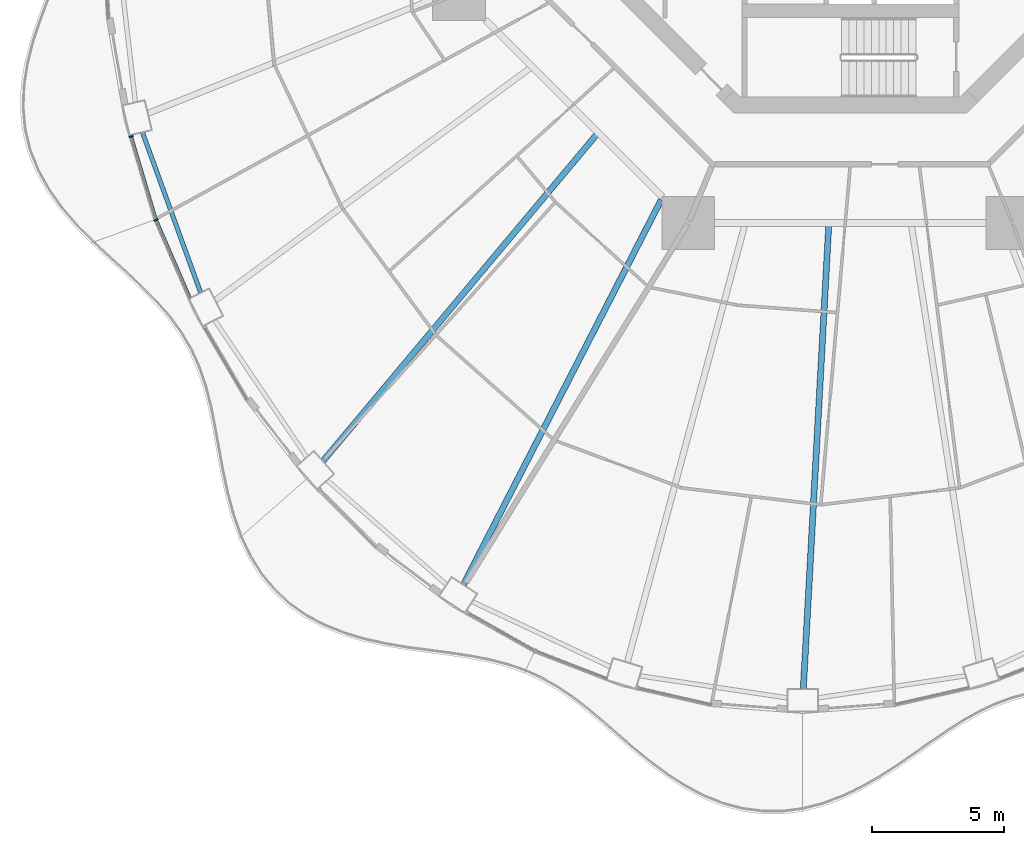
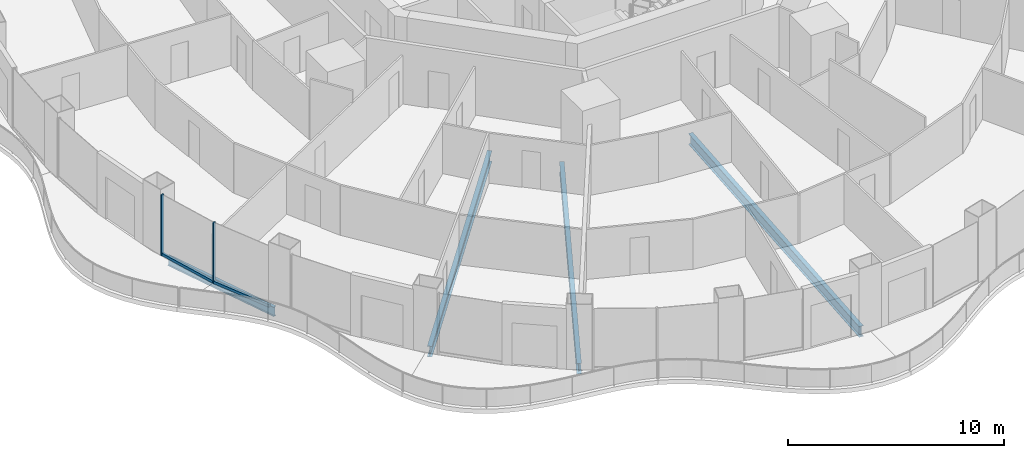
# One storey, part 3 of 21: 4 beams, 4 members, 2 elements without a shape of their own.
"""IFC4 building model written with IfcOpenShell, lengths in metres."""

import ifcopenshell
import ifcopenshell.guid

model = None  # the IFC model being written
_history = None  # IfcOwnerHistory: only IFC2X3 demands one
_inside = {}  # id of a spatial element -> (the spatial element, [elements in it])
_under = {}  # id of a project, library or spatial element -> (it, [spatial elements below it])
_declared = {}  # id of a project -> (the project, [libraries it declares])
_typed = {}  # id of a type object -> (the type object, [elements of that type])
_made_of = {}  # id of a material, layer set ... -> (it, [elements and type objects made of it])


def new_model(schema):
    """Start an empty IFC model of exactly this schema.

    Asked for "IFC4X3", IfcOpenShell would pick the latest addendum, in which some entities
    have other attributes; the version numbers below select the first issue.
    IFC2X3 requires an IfcOwnerHistory on every rooted entity: one is made here for all.
    """
    global model, _history
    if schema == "IFC4X3":
        model = ifcopenshell.file(schema_version=(4, 3, 0, 0))
    else:
        model = ifcopenshell.file(schema=schema)
    _inside.clear()
    _under.clear()
    _declared.clear()
    _typed.clear()
    _made_of.clear()
    _history = None
    if model.schema == "IFC2X3":
        org = make("IfcOrganization", Name="unknown")
        user = make(
            "IfcPersonAndOrganization",
            ThePerson=make("IfcPerson", FamilyName="unknown"),
            TheOrganization=org,
        )
        app = make(
            "IfcApplication",
            ApplicationDeveloper=org,
            Version="unknown",
            ApplicationFullName="unknown",
            ApplicationIdentifier="unknown",
        )
        _history = make(
            "IfcOwnerHistory",
            OwningUser=user,
            OwningApplication=app,
            ChangeAction="ADDED",
            CreationDate=0,
        )
    return model


def make(cls, **values):
    """One entity of the class cls with the attributes given. An attribute that is None is left unset."""
    return model.create_entity(
        cls, **{name: value for name, value in values.items() if value is not None}
    )


def rooted(cls, **values):
    """An entity with a GlobalId (a new one), such as an element, a storey or a relation."""
    return make(cls, GlobalId=ifcopenshell.guid.new(), OwnerHistory=_history, **values)


def si_unit(unit_type, name, prefix=None):
    """IfcSIUnit, for example si_unit("LENGTHUNIT", "METRE", prefix="MILLI")."""
    return make("IfcSIUnit", UnitType=unit_type, Prefix=prefix, Name=name)


def assignment(units):
    """IfcUnitAssignment: the units of a project."""
    return None if units is None else make("IfcUnitAssignment", Units=units)


def point(xyz):
    """IfcCartesianPoint."""
    return None if xyz is None else make("IfcCartesianPoint", Coordinates=xyz)


def direction(xyz):
    """IfcDirection."""
    return None if xyz is None else make("IfcDirection", DirectionRatios=xyz)


def frame(location, z_axis=None, x_axis=None):
    """IfcAxis2Placement3D, a coordinate frame: its origin and axes. An axis left out is left unset."""
    return make(
        "IfcAxis2Placement3D",
        Location=point(location),
        Axis=direction(z_axis),
        RefDirection=direction(x_axis),
    )


def frame_2d(location, x_axis=None):
    """IfcAxis2Placement2D, a coordinate frame in the plane: its origin and x axis."""
    return make(
        "IfcAxis2Placement2D", Location=point(location), RefDirection=direction(x_axis)
    )


def origin():
    """The frame at (0, 0, 0) with its axes left unset."""
    return frame((0.0, 0.0, 0.0))


def origin_2d():
    """The frame at (0, 0) in the plane with its x axis left unset."""
    return frame_2d((0.0, 0.0))


def place(relative_to, where):
    """IfcLocalPlacement: puts the frame where relative to a parent placement (None: the world)."""
    return make(
        "IfcLocalPlacement", PlacementRelTo=relative_to, RelativePlacement=where
    )


def context(
    kind, dimensions, precision=None, world=None, true_north=None, identifier=None
):
    """IfcGeometricRepresentationContext, for example the 3D "Model" context."""
    return make(
        "IfcGeometricRepresentationContext",
        ContextIdentifier=identifier,
        ContextType=kind,
        CoordinateSpaceDimension=dimensions,
        Precision=precision,
        WorldCoordinateSystem=world,
        TrueNorth=true_north,
    )


def subcontext(parent, identifier, kind, view, scale=None):
    """IfcGeometricRepresentationSubContext, for example "Body" below "Model"."""
    return make(
        "IfcGeometricRepresentationSubContext",
        ContextIdentifier=identifier,
        ContextType=kind,
        ParentContext=parent,
        TargetScale=scale,
        TargetView=view,
    )


def project(units=None, contexts=None):
    """IfcProject with its units and contexts."""
    return rooted(
        "IfcProject",
        Name="project",
        RepresentationContexts=contexts,
        UnitsInContext=assignment(units),
    )


def spatial(cls, under=None, at=None, **own):
    """A site, building, storey or space (cls), placed at a placement, below another one or the project."""
    s = rooted(cls, ObjectPlacement=at, **own)
    if under is not None:
        _under.setdefault(under.id(), (under, []))[1].append(s)
    return s


def profile(cls, at=None, kind="AREA", **sizes):
    """A parametric profile (cls). Its sizes go by their IFC names, for example OverallWidth=200.0."""
    return make(cls, ProfileType=kind, Position=at, **sizes)


def rectangle(**sizes):
    """IfcRectangleProfileDef."""
    return profile("IfcRectangleProfileDef", **sizes)


def i_section(**sizes):
    """IfcIShapeProfileDef."""
    return profile("IfcIShapeProfileDef", **sizes)


def extrude(swept, where, along, depth):
    """IfcExtrudedAreaSolid: the profile swept, set in the frame where, extruded along a direction by depth."""
    return make(
        "IfcExtrudedAreaSolid",
        SweptArea=swept,
        Position=where,
        ExtrudedDirection=direction(along),
        Depth=depth,
    )


def shape(context_of_items, identifier, shape_type, items):
    """IfcShapeRepresentation: the items that make up one representation, for example the "Body"."""
    return make(
        "IfcShapeRepresentation",
        ContextOfItems=context_of_items,
        RepresentationIdentifier=identifier,
        RepresentationType=shape_type,
        Items=items,
    )


def material(Name=None, Category=None):
    """IfcMaterial."""
    return make("IfcMaterial", Name=Name, Category=Category)


def layer(
    of_material, thickness, ventilated=None, Name=None, Category=None, Priority=None
):
    """IfcMaterialLayer: one layer of a wall or slab, of a material (None: an air gap)."""
    return make(
        "IfcMaterialLayer",
        Material=of_material,
        LayerThickness=thickness,
        IsVentilated=ventilated,
        Name=Name,
        Category=Category,
        Priority=Priority,
    )


def layer_set(layers, Name=None):
    """IfcMaterialLayerSet."""
    return make("IfcMaterialLayerSet", MaterialLayers=layers, LayerSetName=Name)


def material_profile(
    of_material, cross_section, Name=None, Category=None, Priority=None
):
    """IfcMaterialProfile: a cross section and its material."""
    return make(
        "IfcMaterialProfile",
        Name=Name,
        Material=of_material,
        Profile=cross_section,
        Priority=Priority,
        Category=Category,
    )


def profile_set(profiles, Name=None, composite=None):
    """IfcMaterialProfileSet."""
    return make(
        "IfcMaterialProfileSet",
        Name=Name,
        MaterialProfiles=profiles,
        CompositeProfile=composite,
    )


def made_of(thing, what):
    """Note that an element or type object is made of a material, layer set ...; save() writes the relation."""
    if what is not None:
        _made_of.setdefault(what.id(), (what, []))[1].append(thing)
    return thing


def type_object(cls, material=None, **own):
    """A type object (cls), such as IfcWallType, which elements share."""
    return made_of(rooted(cls, **own), material)


def element(
    cls,
    number,
    at=None,
    inside=None,
    cuts=None,
    type_object=None,
    material=None,
    context=None,
    identifier="Body",
    shape_type=None,
    held_by="IfcProductDefinitionShape",
    body=None,
    shapes=None,
    **own,
):
    """One element of the class cls, such as IfcWall. Its Tag is "e" and its number.

    at: its placement. inside: the storey or other place that contains it. cuts: it is an
    opening in that element (IfcRelVoidsElement). A single representation is given by context,
    identifier, shape_type and body (its items); several are given by shapes. held_by: the class
    of the entity that holds the representations. save() writes the other relations.
    """
    e = rooted(cls, Tag="e%d" % number, ObjectPlacement=at, **own)
    if body is not None:
        shapes = [shape(context, identifier, shape_type, body)]
    if shapes is not None:
        e.Representation = make(held_by, Representations=shapes)
    if inside is not None:
        _inside.setdefault(inside.id(), (inside, []))[1].append(e)
    if cuts is not None:
        rooted(
            "IfcRelVoidsElement", RelatingBuildingElement=cuts, RelatedOpeningElement=e
        )
    if type_object is not None:
        _typed.setdefault(type_object.id(), (type_object, []))[1].append(e)
    return made_of(e, material)


def aggregate(whole, parts):
    """IfcRelAggregates: a whole, such as a stair, and the parts it consists of."""
    return rooted("IfcRelAggregates", RelatingObject=whole, RelatedObjects=parts)


def save(model, path):
    """Write the relations noted so far, then the file.

    IfcRelAggregates (storeys below a building ...), IfcRelContainedInSpatialStructure (elements
    in a storey), IfcRelDefinesByType, IfcRelAssociatesMaterial and IfcRelDeclares: one each for
    every whole, place, type object, material and project.
    """
    for whole, parts in _under.values():
        aggregate(whole, parts)
    for where, things in _inside.values():
        rooted(
            "IfcRelContainedInSpatialStructure",
            RelatedElements=things,
            RelatingStructure=where,
        )
    for kind, things in _typed.values():
        rooted("IfcRelDefinesByType", RelatedObjects=things, RelatingType=kind)
    for what, things in _made_of.values():
        rooted("IfcRelAssociatesMaterial", RelatedObjects=things, RelatingMaterial=what)
    for by, libraries in _declared.values():
        rooted("IfcRelDeclares", RelatingContext=by, RelatedDefinitions=libraries)
    model.write(path)


model = new_model("IFC4")

# Units and contexts
model_context = context("Model", 3, precision=1e-05, world=origin(), true_north=direction((0.0, 1.0)))
body_context = subcontext(model_context, "Body", "Model", "MODEL_VIEW")
ifc_project = project(units=[si_unit("LENGTHUNIT", "METRE"), si_unit("AREAUNIT", "SQUARE_METRE"), si_unit("VOLUMEUNIT", "CUBIC_METRE"), si_unit("PLANEANGLEUNIT", "RADIAN"), si_unit("MASSUNIT", "GRAM", prefix="KILO")], contexts=[model_context])

# Site, building, storey
site_placement = place(None, origin())
site = spatial("IfcSite", under=ifc_project, at=site_placement, CompositionType="ELEMENT")
building_placement = place(site_placement, origin())
building = spatial("IfcBuilding", under=site, at=building_placement, Name="Nagisa Residences", CompositionType="ELEMENT")
storey_placement = place(building_placement, frame((0.0, 0.0, 138.10009765625)))
storey = spatial("IfcBuildingStorey", under=building, at=storey_placement, Name="L34", CompositionType="ELEMENT", Elevation=138.10009765625)

# Curtain wall, member
ifc_material_1 = material(Name="Concrete-coloured aluminium curtain wall system", Category="concrete")
ifc_layer = layer(ifc_material_1, 0.159912109375)
ifc_layer_set = layer_set([ifc_layer], Name="CW1 CURTAIN WALL")
curtain_wall_type = type_object("IfcCurtainWallType", Name="CW1 CURTAIN WALL", PredefinedType="NOTDEFINED", material=ifc_layer_set)
curtain_wall_1_placement = place(storey_placement, origin())
curtain_wall_1 = element("IfcCurtainWall", 1, at=curtain_wall_1_placement, inside=storey, type_object=curtain_wall_type, Name="cw:CW1:L34:26", PredefinedType="NOTDEFINED")
ifc_material_2 = material(Name="Concrete-coloured aluminium", Category="concrete")
ifc_material_profile_1 = material_profile(ifc_material_2, rectangle(XDim=0.159912109375, YDim=0.06005859375, at=origin_2d()), Name="CW1 MULLION 160x60")
ifc_profile_set_1 = profile_set([ifc_material_profile_1], Name="Concrete-coloured aluminium")
member_type_1 = type_object("IfcMemberType", Name="CW1 MULLION 160x60", PredefinedType="MULLION", material=ifc_profile_set_1)
member_1_placement = place(storey_placement, frame((-27.174072265625, -11.513671875, 0.0), z_axis=(0.0, 0.0, 1.0), x_axis=(0.958271310082, 0.285860274038, 0.0)))
member_1 = element("IfcMember", 2, at=member_1_placement, type_object=member_type_1, Name="CW1 mullion", PredefinedType="MULLION", context=body_context, shape_type="SweptSolid", body=[
    extrude(rectangle(XDim=0.159912109375, YDim=0.06005859375, at=origin_2d()), origin(), (0.0, 0.0, 1.0), 3.43994140625),
])

curtain_wall_2_placement = place(storey_placement, origin())
curtain_wall_2 = element("IfcCurtainWall", 3, at=curtain_wall_2_placement, inside=storey, type_object=curtain_wall_type, Name="cw:CW1:L34:27", PredefinedType="NOTDEFINED")
member_2_placement = place(storey_placement, frame((-26.229736328125, -14.66845703125, 0.0), z_axis=(0.0, 0.0, 1.0), x_axis=(0.917543276295, 0.397635934147, 0.0)))
member_2 = element("IfcMember", 4, at=member_2_placement, type_object=member_type_1, Name="CW1 mullion", PredefinedType="MULLION", context=body_context, shape_type="SweptSolid", body=[
    extrude(rectangle(XDim=0.159912109375, YDim=0.06005859375, at=origin_2d()), origin(), (0.0, 0.0, 1.0), 3.43994140625),
])

# Member
ifc_material_3 = material(Name="Concrete-coloured aluminium", Category="concrete")
ifc_material_profile_2 = material_profile(ifc_material_3, rectangle(XDim=0.1201171875, YDim=0.14990234375, at=origin_2d()), Name="CW1 TRANSOM 120x150")
ifc_profile_set_2 = profile_set([ifc_material_profile_2], Name="Concrete-coloured aluminium")
member_type_2 = type_object("IfcMemberType", Name="CW1 TRANSOM 120x150", PredefinedType="USERDEFINED", material=ifc_profile_set_2)
member_3_placement = place(storey_placement, frame((-27.1826171875, -11.48486328125, 0.074951171875), z_axis=(0.285842038783, -0.958276749621, 0.0), x_axis=(0.958276749621, 0.285842038783, 0.0)))
member_3 = element("IfcMember", 5, at=member_3_placement, type_object=member_type_2, Name="CW1 transom", ObjectType="TRANSOM", PredefinedType="USERDEFINED", context=body_context, shape_type="SweptSolid", body=[
    extrude(rectangle(XDim=0.1201171875, YDim=0.14990234375, at=origin_2d()), origin(), (0.0, 0.0, 1.0), 3.302734375),
])

aggregate(curtain_wall_1, [member_1, member_3])

member_4_placement = place(storey_placement, frame((-26.24169921875, -14.64111328125, 0.074951171875), z_axis=(0.397666272939, -0.917530127771, 0.0), x_axis=(0.917530127771, 0.397666272939, 0.0)))
member_4 = element("IfcMember", 6, at=member_4_placement, type_object=member_type_2, Name="CW1 transom", ObjectType="TRANSOM", PredefinedType="USERDEFINED", context=body_context, shape_type="SweptSolid", body=[
    extrude(rectangle(XDim=0.1201171875, YDim=0.14990234375, at=origin_2d()), origin(), (0.0, 0.0, 1.0), 3.260498046875),
])

aggregate(curtain_wall_2, [member_2, member_4])

# Beams
ifc_material_4 = material(Name="Steel ASTM A572 Gr 50", Category="steel")
ifc_material_profile_3 = material_profile(ifc_material_4, i_section(OverallWidth=0.166015625, OverallDepth=0.534912109375, WebThickness=0.01025390625, FlangeThickness=0.0166015625, at=origin_2d()), Name="W530x85")
ifc_profile_set_3 = profile_set([ifc_material_profile_3], Name="Steel ASTM A572 Gr 50")
beam_type_1 = type_object("IfcBeamType", Name="Perimeter ring beam W530x85", PredefinedType="BEAM", material=ifc_profile_set_3)
beam_1_placement = place(storey_placement, frame((-26.74853515625, -11.352294921875, -0.527587890625), z_axis=(0.341366238276, -0.939930365168, 0.0), x_axis=(0.939930365168, 0.341366238276, 0.0)))
element("IfcBeam", 7, at=beam_1_placement, inside=storey, type_object=beam_type_1, Name="beam:L34:pb14", PredefinedType="BEAM", context=body_context, shape_type="SweptSolid", body=[
    extrude(i_section(OverallWidth=0.166015625, OverallDepth=0.534912109375, WebThickness=0.01025390625, FlangeThickness=0.0166015625, at=origin_2d()), origin(), (0.0, 0.0, 1.0), 6.450927734375),
])
ifc_material_5 = material(Name="Steel ASTM A572 Gr 50", Category="steel")
ifc_material_profile_4 = material_profile(ifc_material_5, i_section(OverallWidth=0.22900390625, OverallDepth=0.612060546875, WebThickness=0.011962890625, FlangeThickness=0.01953125, at=origin_2d()), Name="W610x125")
ifc_profile_set_4 = profile_set([ifc_material_profile_4], Name="Steel ASTM A572 Gr 50")
beam_type_2 = type_object("IfcBeamType", Name="Radial beam W610x125", PredefinedType="BEAM", material=ifc_profile_set_4)
beam_2_placement = place(storey_placement, frame((-19.929931640625, -23.78173828125, -0.566162109375), z_axis=(0.642300860107, 0.766452611128, 0.0), x_axis=(-0.766452611128, 0.642300860107, 0.0)))
element("IfcBeam", 8, at=beam_2_placement, inside=storey, type_object=beam_type_2, Name="beam:L34:rb16", PredefinedType="BEAM", context=body_context, shape_type="SweptSolid", body=[
    extrude(i_section(OverallWidth=0.22900390625, OverallDepth=0.612060546875, WebThickness=0.011962890625, FlangeThickness=0.01953125, at=origin_2d()), origin(), (0.0, 0.0, 1.0), 16.081787109375),
])
beam_3_placement = place(storey_placement, frame((-14.619873046875, -28.449462890625, -0.566162109375), z_axis=(0.457072968779, 0.889429199662, 0.0), x_axis=(-0.889429199662, 0.457072968779, 0.0)))
element("IfcBeam", 9, at=beam_3_placement, inside=storey, type_object=beam_type_2, Name="beam:L34:rb17", PredefinedType="BEAM", context=body_context, shape_type="SweptSolid", body=[
    extrude(i_section(OverallWidth=0.22900390625, OverallDepth=0.612060546875, WebThickness=0.011962890625, FlangeThickness=0.01953125, at=origin_2d()), origin(), (0.0, 0.0, 1.0), 16.347412109375),
])
beam_4_placement = place(storey_placement, frame((-1.7763671875, -32.382568359375, -0.566162109375), z_axis=(0.054779249477, 0.998498489647, 0.0), x_axis=(-0.998498489647, 0.054779249477, 0.0)))
element("IfcBeam", 10, at=beam_4_placement, inside=storey, type_object=beam_type_2, Name="beam:L34:rb19", PredefinedType="BEAM", context=body_context, shape_type="SweptSolid", body=[
    extrude(i_section(OverallWidth=0.22900390625, OverallDepth=0.612060546875, WebThickness=0.011962890625, FlangeThickness=0.01953125, at=origin_2d()), origin(), (0.0, 0.0, 1.0), 17.519775390625),
])

save(model, "model.ifc")
